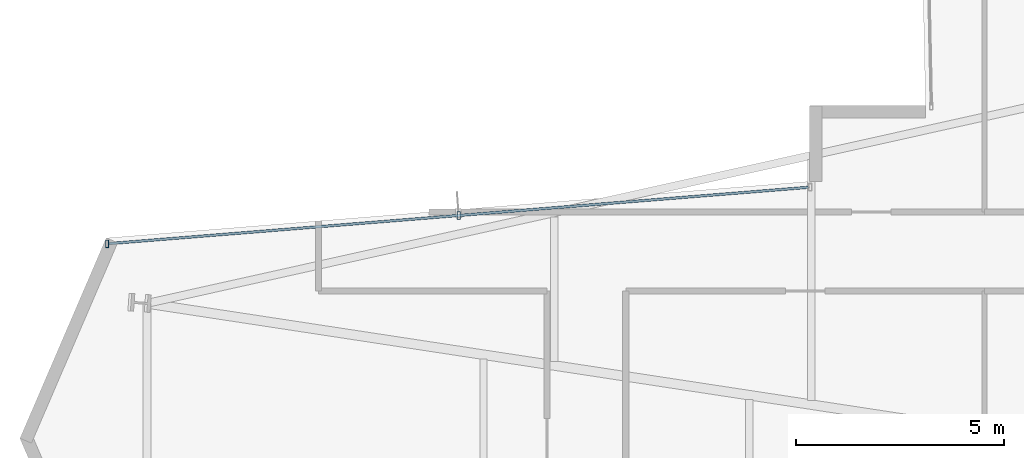
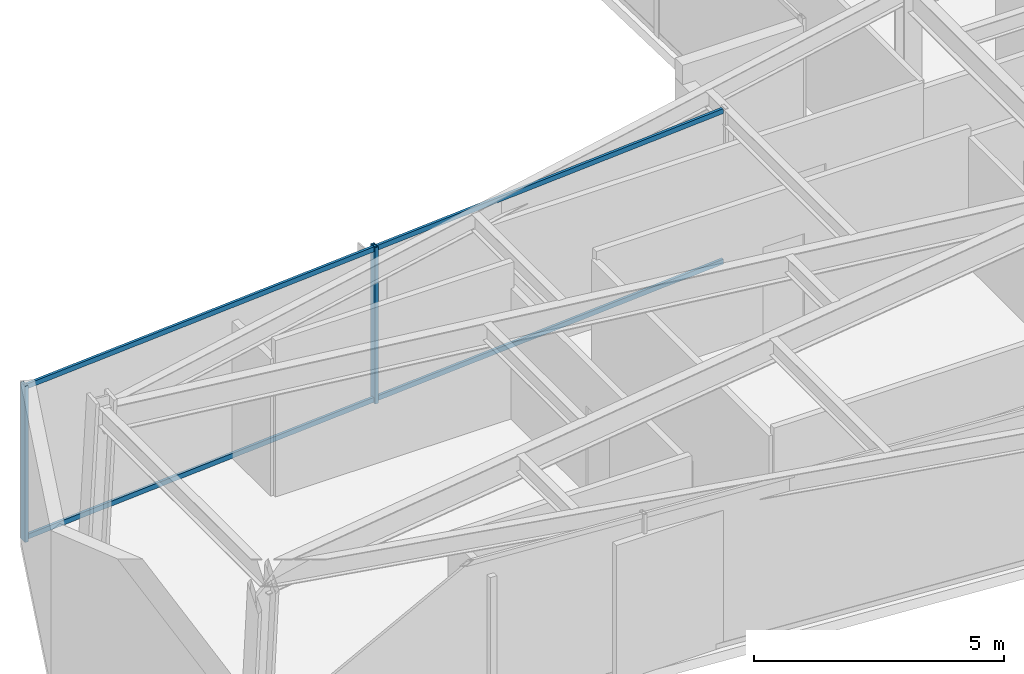
# One storey, part 7 of 24: 4 members, 1 element without a shape of its own.
"""IFC4 building model written with IfcOpenShell, lengths in metres."""

from ifc_helpers import new_model, si_unit, direction, frame, origin, origin_2d, place, context, subcontext, project, spatial, hollow_rectangle, extrude, material, layer, layer_set, material_profile, profile_set, type_object, element, aggregate, save


model = new_model("IFC4")

# Units and contexts
model_context = context("Model", 3, precision=1e-05, world=origin(), true_north=direction((0.0, 1.0)))
body_context = subcontext(model_context, "Body", "Model", "MODEL_VIEW")
ifc_project = project(units=[si_unit("LENGTHUNIT", "METRE"), si_unit("AREAUNIT", "SQUARE_METRE"), si_unit("VOLUMEUNIT", "CUBIC_METRE"), si_unit("PLANEANGLEUNIT", "RADIAN"), si_unit("MASSUNIT", "GRAM", prefix="KILO")], contexts=[model_context])

# Site, building, storey
site_placement = place(None, origin())
site = spatial("IfcSite", under=ifc_project, at=site_placement, CompositionType="ELEMENT")
building_placement = place(site_placement, origin())
building = spatial("IfcBuilding", under=site, at=building_placement, Name="Veymaron Broadcast Tower", CompositionType="ELEMENT")
storey_placement = place(building_placement, frame((0.0, 0.0, 98.550048828125)))
storey = spatial("IfcBuildingStorey", under=building, at=storey_placement, Name="L22", CompositionType="ELEMENT", Elevation=98.550048828125)

# Curtain wall, members
ifc_material_1 = material(Name="Anodised aluminium AA 6063-T6 and laminated low-E dark glass", Category="aluminium")
ifc_layer = layer(ifc_material_1, 0.179931640625)
ifc_layer_set = layer_set([ifc_layer], Name="Anodised aluminium AA 6063-T6 and laminated low-E dark glass")
curtain_wall_type = type_object("IfcCurtainWallType", Name="CW-SYS-02", PredefinedType="NOTDEFINED", material=ifc_layer_set)
curtain_wall_placement = place(storey_placement, origin())
curtain_wall = element("IfcCurtainWall", 1, at=curtain_wall_placement, inside=storey, type_object=curtain_wall_type, Name="L22 dark-glass curtain wall CW-L22-E11-1", PredefinedType="NOTDEFINED")
ifc_material_2 = material(Name="Anodised aluminium AA 6063-T6", Category="aluminium")
ifc_material_profile_1 = material_profile(ifc_material_2, hollow_rectangle(XDim=0.074951171875, YDim=0.179931640625, WallThickness=0.0048828125, at=origin_2d()), Name="AL180X75X5")
ifc_profile_set_1 = profile_set([ifc_material_profile_1], Name="Anodised aluminium AA 6063-T6")
member_type_1 = type_object("IfcMemberType", Name="CW-MUL-02", PredefinedType="MULLION", material=ifc_profile_set_1)
member_1_placement = place(storey_placement, frame((17.377197265625, 29.3671875, 0.0), z_axis=(0.0, 0.0, 1.0), x_axis=(1.0, 0.0, 0.0)))
member_1 = element("IfcMember", 2, at=member_1_placement, type_object=member_type_1, Name="CW-L22-E11-1 mullion 1", PredefinedType="MULLION", context=body_context, shape_type="SweptSolid", body=[
    extrude(hollow_rectangle(XDim=0.074951171875, YDim=0.179931640625, WallThickness=0.0048828125, at=origin_2d()), origin(), (0.0, 0.0, 1.0), 3.81005859375),
])
member_2_placement = place(storey_placement, frame((8.9111328125, 28.685791015625, 0.0), z_axis=(0.0, 0.0, 1.0), x_axis=(1.0, 0.0, 0.0)))
member_2 = element("IfcMember", 3, at=member_2_placement, type_object=member_type_1, Name="CW-L22-E11-1 mullion 2", PredefinedType="MULLION", context=body_context, shape_type="SweptSolid", body=[
    extrude(hollow_rectangle(XDim=0.074951171875, YDim=0.179931640625, WallThickness=0.0048828125, at=origin_2d()), origin(), (0.0, 0.0, 1.0), 3.81005859375),
])
ifc_material_profile_2 = material_profile(ifc_material_2, hollow_rectangle(XDim=0.06005859375, YDim=0.1201171875, WallThickness=0.00390625, at=origin_2d()), Name="AL120X60X4")
ifc_profile_set_2 = profile_set([ifc_material_profile_2], Name="Anodised aluminium AA 6063-T6")
member_type_2 = type_object("IfcMemberType", Name="CW-TRN-02", PredefinedType="USERDEFINED", material=ifc_profile_set_2)
member_3_placement = place(storey_placement, frame((25.79345703125, 30.044677734375, 0.070068359375), z_axis=(-0.996775714969, -0.080238233082, 0.0), x_axis=(0.080238233082, -0.996775714969, 0.0)))
member_3 = element("IfcMember", 4, at=member_3_placement, type_object=member_type_2, Name="CW-L22-E11-1 transom B", ObjectType="TRANSOM", PredefinedType="USERDEFINED", context=body_context, shape_type="SweptSolid", body=[
    extrude(hollow_rectangle(XDim=0.06005859375, YDim=0.1201171875, WallThickness=0.00390625, at=origin_2d()), origin(), (0.0, 0.0, 1.0), 16.886962890625),
])
member_4_placement = place(storey_placement, frame((25.79345703125, 30.044677734375, 3.739990234375), z_axis=(-0.996775714969, -0.080238233082, 0.0), x_axis=(0.080238233082, -0.996775714969, 0.0)))
member_4 = element("IfcMember", 5, at=member_4_placement, type_object=member_type_2, Name="CW-L22-E11-1 transom T", ObjectType="TRANSOM", PredefinedType="USERDEFINED", context=body_context, shape_type="SweptSolid", body=[
    extrude(hollow_rectangle(XDim=0.06005859375, YDim=0.1201171875, WallThickness=0.00390625, at=origin_2d()), origin(), (0.0, 0.0, 1.0), 16.886962890625),
])
aggregate(curtain_wall, [member_1, member_2, member_3, member_4])

save(model, "model.ifc")
